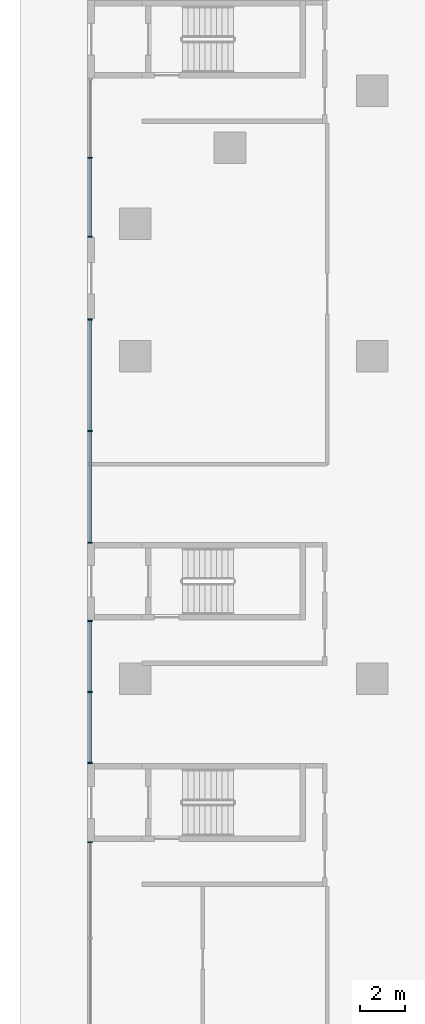
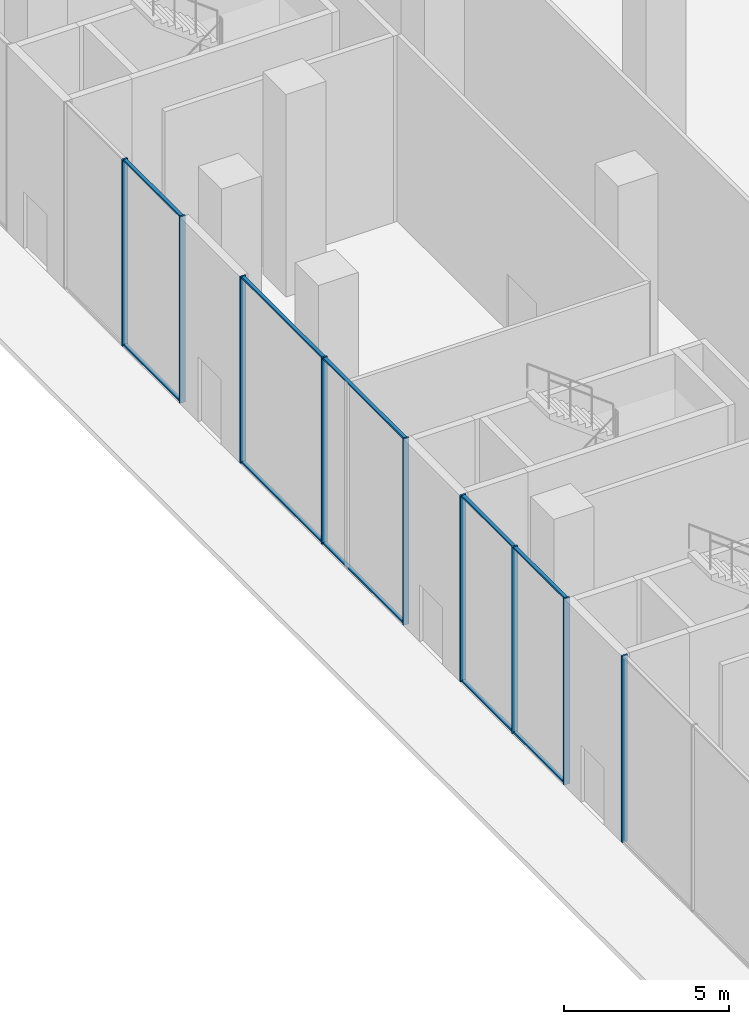
# One storey, part 5 of 26: 19 members, 4 elements without a shape of their own.
"""IFC4 building model written with IfcOpenShell, lengths in metres."""

from ifc_helpers import new_model, si_unit, direction, frame, origin, origin_2d, place, context, subcontext, project, spatial, rectangle, extrude, source, transform, mapped, material, layer, layer_set, material_profile, profile_set, type_object, element, aggregate, save


model = new_model("IFC4")

# Units and contexts
model_context = context("Model", 3, precision=1e-05, world=origin(), true_north=direction((0.0, 1.0)))
body_context = subcontext(model_context, "Body", "Model", "MODEL_VIEW")
ifc_project = project(units=[si_unit("LENGTHUNIT", "METRE"), si_unit("AREAUNIT", "SQUARE_METRE"), si_unit("VOLUMEUNIT", "CUBIC_METRE"), si_unit("PLANEANGLEUNIT", "RADIAN"), si_unit("MASSUNIT", "GRAM", prefix="KILO")], contexts=[model_context])

# Site, building, storey
site_placement = place(None, origin())
site = spatial("IfcSite", under=ifc_project, at=site_placement, CompositionType="ELEMENT")
building_placement = place(site_placement, origin())
building = spatial("IfcBuilding", under=site, at=building_placement, Name="Aurelian Terraces", CompositionType="ELEMENT")
storey_placement = place(building_placement, origin())
storey = spatial("IfcBuildingStorey", under=building, at=storey_placement, Name="L00", CompositionType="ELEMENT", Elevation=0.0)

# Curtain wall, member
ifc_material_1 = material(Name="Anodised aluminium and clear glazing", Category="aluminium")
ifc_layer = layer(ifc_material_1, 0.2)
ifc_layer_set = layer_set([ifc_layer], Name="Podium shopfront curtain wall")
curtain_wall_type = type_object("IfcCurtainWallType", Name="Podium shopfront curtain wall", PredefinedType="NOTDEFINED", material=ifc_layer_set)
curtain_wall_1_placement = place(storey_placement, origin())
curtain_wall_1 = element("IfcCurtainWall", 1, at=curtain_wall_1_placement, inside=storey, type_object=curtain_wall_type, Name="Podium shopfront L00 F06.6", PredefinedType="NOTDEFINED")
ifc_material_2 = material(Name="Anodised aluminium", Category="aluminium")
ifc_material_profile_1 = material_profile(ifc_material_2, rectangle(XDim=0.12, YDim=0.06, at=origin_2d()))
ifc_profile_set_1 = profile_set([ifc_material_profile_1], Name="Anodised aluminium")
member_type_1 = type_object("IfcMemberType", Name="Podium shopfront transom", PredefinedType="USERDEFINED", material=ifc_profile_set_1)
member_1_placement = place(storey_placement, frame((-2.0, 53.69, 0.03), z_axis=(0.0, -1.0, 0.0), x_axis=(1.0, 0.0, 0.0)))
member_1 = element("IfcMember", 2, at=member_1_placement, type_object=member_type_1, Name="CW1 transom 1.1", ObjectType="TRANSOM", PredefinedType="USERDEFINED", context=body_context, shape_type="SweptSolid", body=[
    extrude(rectangle(XDim=0.12, YDim=0.06, at=origin_2d()), origin(), (0.0, 0.0, 1.0), 4.885),
])

curtain_wall_2_placement = place(storey_placement, origin())
curtain_wall_2 = element("IfcCurtainWall", 3, at=curtain_wall_2_placement, inside=storey, type_object=curtain_wall_type, Name="Podium shopfront L00 F06.7", PredefinedType="NOTDEFINED")
member_2_placement = place(storey_placement, frame((-2.0, 40.34, 0.03), z_axis=(0.0, -1.0, 0.0), x_axis=(1.0, 0.0, 0.0)))
member_2 = element("IfcMember", 4, at=member_2_placement, type_object=member_type_1, Name="CW1 transom 1.1", ObjectType="TRANSOM", PredefinedType="USERDEFINED", context=body_context, shape_type="SweptSolid", body=[
    extrude(rectangle(XDim=0.12, YDim=0.06, at=origin_2d()), origin(), (0.0, 0.0, 1.0), 3.085),
])

# Curtain wall, members
curtain_wall_3_placement = place(storey_placement, origin())
curtain_wall_3 = element("IfcCurtainWall", 5, at=curtain_wall_3_placement, inside=storey, type_object=curtain_wall_type, Name="Podium shopfront L00 F06.4", PredefinedType="NOTDEFINED")
ifc_material_profile_2 = material_profile(ifc_material_2, rectangle(XDim=0.2, YDim=0.06, at=origin_2d()))
ifc_profile_set_2 = profile_set([ifc_material_profile_2], Name="Anodised aluminium")
member_type_2 = type_object("IfcMemberType", Name="Podium shopfront mullion", PredefinedType="MULLION", material=ifc_profile_set_2)
shared_shape_1 = source(origin(), body_context, "Body", "SweptSolid", [
    extrude(rectangle(XDim=0.2, YDim=0.06, at=origin_2d()), origin(), (0.0, 0.0, 1.0), 6.9),
])
member_3_placement = place(storey_placement, frame((-2.0, 60.875, 0.0), z_axis=(0.0, 0.0, 1.0), x_axis=(1.0, 0.0, 0.0)))
member_3 = element("IfcMember", 6, at=member_3_placement, type_object=member_type_2, Name="CW1 mullion 2", PredefinedType="MULLION", context=body_context, shape_type="MappedRepresentation", body=[
    mapped(shared_shape_1, transform((0.0, 0.0, 0.0), scale=1.0)),
])
member_4_placement = place(storey_placement, frame((-2.0, 57.38, 0.0), z_axis=(0.0, 0.0, 1.0), x_axis=(1.0, 0.0, 0.0)))
member_4 = element("IfcMember", 7, at=member_4_placement, type_object=member_type_2, Name="CW1 mullion 3", PredefinedType="MULLION", context=body_context, shape_type="MappedRepresentation", body=[
    mapped(shared_shape_1, transform((0.0, 0.0, 0.0), scale=1.0)),
])

# Member
member_5_placement = place(storey_placement, frame((-2.0, 53.72, 0.0), z_axis=(0.0, 0.0, 1.0), x_axis=(1.0, 0.0, 0.0)))
member_5 = element("IfcMember", 8, at=member_5_placement, type_object=member_type_2, Name="CW1 mullion 1", PredefinedType="MULLION", context=body_context, shape_type="MappedRepresentation", body=[
    mapped(shared_shape_1, transform((0.0, 0.0, 0.0), scale=1.0)),
])

member_6_placement = place(storey_placement, frame((-2.0, 48.775, 0.0), z_axis=(0.0, 0.0, 1.0), x_axis=(1.0, 0.0, 0.0)))
member_6 = element("IfcMember", 9, at=member_6_placement, type_object=member_type_2, Name="CW1 mullion 2", PredefinedType="MULLION", context=body_context, shape_type="MappedRepresentation", body=[
    mapped(shared_shape_1, transform((0.0, 0.0, 0.0), scale=1.0)),
])

member_7_placement = place(storey_placement, frame((-2.0, 43.83, 0.0), z_axis=(0.0, 0.0, 1.0), x_axis=(1.0, 0.0, 0.0)))
member_7 = element("IfcMember", 10, at=member_7_placement, type_object=member_type_2, Name="CW1 mullion 3", PredefinedType="MULLION", context=body_context, shape_type="MappedRepresentation", body=[
    mapped(shared_shape_1, transform((0.0, 0.0, 0.0), scale=1.0)),
])

member_8_placement = place(storey_placement, frame((-2.0, 40.37, 0.0), z_axis=(0.0, 0.0, 1.0), x_axis=(1.0, 0.0, 0.0)))
member_8 = element("IfcMember", 11, at=member_8_placement, type_object=member_type_2, Name="CW1 mullion 1", PredefinedType="MULLION", context=body_context, shape_type="MappedRepresentation", body=[
    mapped(shared_shape_1, transform((0.0, 0.0, 0.0), scale=1.0)),
])

member_9_placement = place(storey_placement, frame((-2.0, 37.225, 0.0), z_axis=(0.0, 0.0, 1.0), x_axis=(1.0, 0.0, 0.0)))
member_9 = element("IfcMember", 12, at=member_9_placement, type_object=member_type_2, Name="CW1 mullion 2", PredefinedType="MULLION", context=body_context, shape_type="MappedRepresentation", body=[
    mapped(shared_shape_1, transform((0.0, 0.0, 0.0), scale=1.0)),
])

member_10_placement = place(storey_placement, frame((-2.0, 34.08, 0.0), z_axis=(0.0, 0.0, 1.0), x_axis=(1.0, 0.0, 0.0)))
member_10 = element("IfcMember", 13, at=member_10_placement, type_object=member_type_2, Name="CW1 mullion 3", PredefinedType="MULLION", context=body_context, shape_type="MappedRepresentation", body=[
    mapped(shared_shape_1, transform((0.0, 0.0, 0.0), scale=1.0)),
])

# Curtain wall, member
curtain_wall_4_placement = place(storey_placement, origin())
curtain_wall_4 = element("IfcCurtainWall", 14, at=curtain_wall_4_placement, inside=storey, type_object=curtain_wall_type, Name="Podium shopfront L00 F06.8", PredefinedType="NOTDEFINED")
member_11_placement = place(storey_placement, frame((-2.0, 30.57, 0.0), z_axis=(0.0, 0.0, 1.0), x_axis=(1.0, 0.0, 0.0)))
member_11 = element("IfcMember", 15, at=member_11_placement, type_object=member_type_2, Name="CW1 mullion 1", PredefinedType="MULLION", context=body_context, shape_type="MappedRepresentation", body=[
    mapped(shared_shape_1, transform((0.0, 0.0, 0.0), scale=1.0)),
])
aggregate(curtain_wall_4, [member_11])

# Member
shared_shape_2 = source(origin(), body_context, "Body", "SweptSolid", [
    extrude(rectangle(XDim=0.12, YDim=0.06, at=origin_2d()), origin(), (0.0, 0.0, 1.0), 3.435),
])
member_12_placement = place(storey_placement, frame((-2.0, 60.845, 0.03), z_axis=(0.0, -1.0, 0.0), x_axis=(1.0, 0.0, 0.0)))
member_12 = element("IfcMember", 16, at=member_12_placement, type_object=member_type_1, Name="CW1 transom 2.1", ObjectType="TRANSOM", PredefinedType="USERDEFINED", context=body_context, shape_type="MappedRepresentation", body=[
    mapped(shared_shape_2, transform((0.0, 0.0, 0.0), scale=1.0)),
])

member_13_placement = place(storey_placement, frame((-2.0, 60.845, 6.87), z_axis=(0.0, -1.0, 0.0), x_axis=(1.0, 0.0, 0.0)))
member_13 = element("IfcMember", 17, at=member_13_placement, type_object=member_type_1, Name="CW1 transom 2.2", ObjectType="TRANSOM", PredefinedType="USERDEFINED", context=body_context, shape_type="MappedRepresentation", body=[
    mapped(shared_shape_2, transform((0.0, 0.0, 0.0), scale=1.0)),
])

aggregate(curtain_wall_3, [member_3, member_4, member_12, member_13])

shared_shape_3 = source(origin(), body_context, "Body", "SweptSolid", [
    extrude(rectangle(XDim=0.12, YDim=0.06, at=origin_2d()), origin(), (0.0, 0.0, 1.0), 4.885),
])
member_14_placement = place(storey_placement, frame((-2.0, 53.69, 6.87), z_axis=(0.0, -1.0, 0.0), x_axis=(1.0, 0.0, 0.0)))
member_14 = element("IfcMember", 18, at=member_14_placement, type_object=member_type_1, Name="CW1 transom 1.2", ObjectType="TRANSOM", PredefinedType="USERDEFINED", context=body_context, shape_type="MappedRepresentation", body=[
    mapped(shared_shape_3, transform((0.0, 0.0, 0.0), scale=1.0)),
])

member_15_placement = place(storey_placement, frame((-2.0, 48.745, 0.03), z_axis=(0.0, -1.0, 0.0), x_axis=(1.0, 0.0, 0.0)))
member_15 = element("IfcMember", 19, at=member_15_placement, type_object=member_type_1, Name="CW1 transom 2.1", ObjectType="TRANSOM", PredefinedType="USERDEFINED", context=body_context, shape_type="MappedRepresentation", body=[
    mapped(shared_shape_3, transform((0.0, 0.0, 0.0), scale=1.0)),
])

member_16_placement = place(storey_placement, frame((-2.0, 48.745, 6.87), z_axis=(0.0, -1.0, 0.0), x_axis=(1.0, 0.0, 0.0)))
member_16 = element("IfcMember", 20, at=member_16_placement, type_object=member_type_1, Name="CW1 transom 2.2", ObjectType="TRANSOM", PredefinedType="USERDEFINED", context=body_context, shape_type="MappedRepresentation", body=[
    mapped(shared_shape_3, transform((0.0, 0.0, 0.0), scale=1.0)),
])

aggregate(curtain_wall_1, [member_5, member_6, member_7, member_1, member_14, member_15, member_16])

shared_shape_4 = source(origin(), body_context, "Body", "SweptSolid", [
    extrude(rectangle(XDim=0.12, YDim=0.06, at=origin_2d()), origin(), (0.0, 0.0, 1.0), 3.085),
])
member_17_placement = place(storey_placement, frame((-2.0, 40.34, 6.87), z_axis=(0.0, -1.0, 0.0), x_axis=(1.0, 0.0, 0.0)))
member_17 = element("IfcMember", 21, at=member_17_placement, type_object=member_type_1, Name="CW1 transom 1.2", ObjectType="TRANSOM", PredefinedType="USERDEFINED", context=body_context, shape_type="MappedRepresentation", body=[
    mapped(shared_shape_4, transform((0.0, 0.0, 0.0), scale=1.0)),
])

member_18_placement = place(storey_placement, frame((-2.0, 37.195, 0.03), z_axis=(0.0, -1.0, 0.0), x_axis=(1.0, 0.0, 0.0)))
member_18 = element("IfcMember", 22, at=member_18_placement, type_object=member_type_1, Name="CW1 transom 2.1", ObjectType="TRANSOM", PredefinedType="USERDEFINED", context=body_context, shape_type="MappedRepresentation", body=[
    mapped(shared_shape_4, transform((0.0, 0.0, 0.0), scale=1.0)),
])

member_19_placement = place(storey_placement, frame((-2.0, 37.195, 6.87), z_axis=(0.0, -1.0, 0.0), x_axis=(1.0, 0.0, 0.0)))
member_19 = element("IfcMember", 23, at=member_19_placement, type_object=member_type_1, Name="CW1 transom 2.2", ObjectType="TRANSOM", PredefinedType="USERDEFINED", context=body_context, shape_type="MappedRepresentation", body=[
    mapped(shared_shape_4, transform((0.0, 0.0, 0.0), scale=1.0)),
])

aggregate(curtain_wall_2, [member_8, member_9, member_10, member_2, member_17, member_18, member_19])

save(model, "model.ifc")
